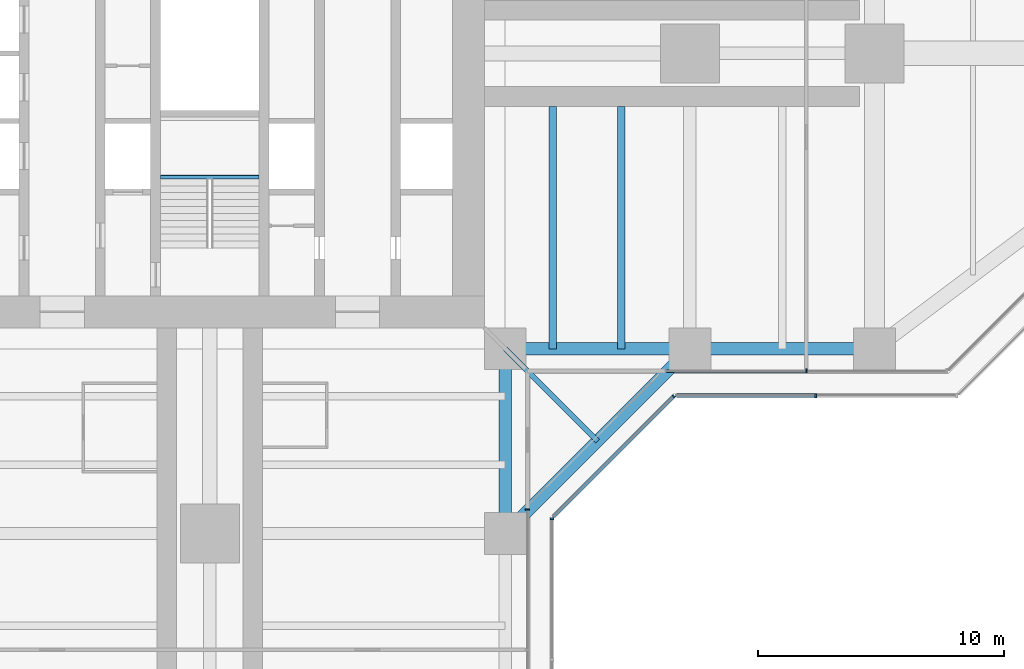
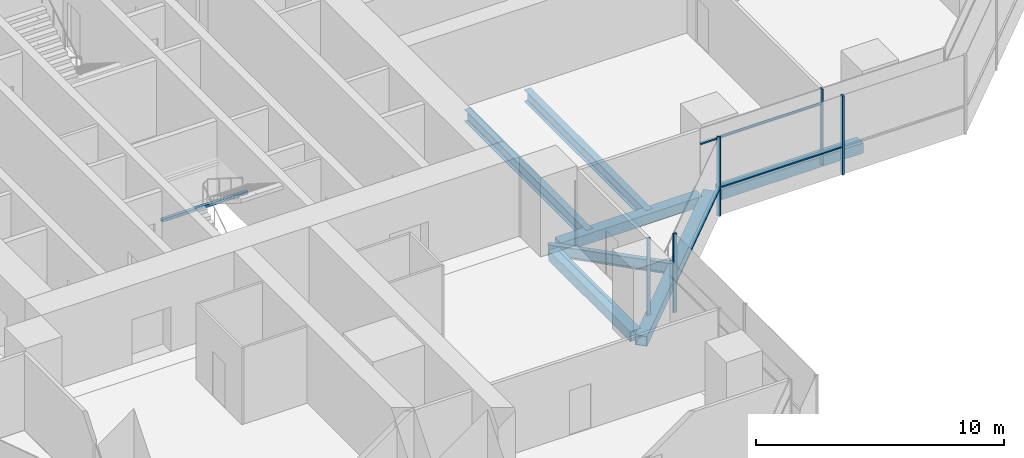
# One storey, part 6 of 22: 8 beams, 8 members, 5 elements without a shape of their own.
"""IFC4 building model written with IfcOpenShell, lengths in metres."""

from ifc_helpers import new_model, si_unit, direction, frame, origin, origin_2d, place, context, subcontext, project, spatial, rectangle, hollow_rectangle, i_section, extrude, material, material_profile, profile_set, type_object, element, aggregate, save


model = new_model("IFC4")

# Units and contexts
model_context = context("Model", 3, precision=1e-05, world=origin(), true_north=direction((0.0, 1.0)))
body_context = subcontext(model_context, "Body", "Model", "MODEL_VIEW")
ifc_project = project(units=[si_unit("LENGTHUNIT", "METRE"), si_unit("AREAUNIT", "SQUARE_METRE"), si_unit("VOLUMEUNIT", "CUBIC_METRE"), si_unit("PLANEANGLEUNIT", "RADIAN"), si_unit("MASSUNIT", "GRAM", prefix="KILO")], contexts=[model_context])

# Site, building, storey
site_placement = place(None, origin())
site = spatial("IfcSite", under=ifc_project, at=site_placement, CompositionType="ELEMENT")
building_placement = place(site_placement, origin())
building = spatial("IfcBuilding", under=site, at=building_placement, Name="Mizan Broadcast Tower", CompositionType="ELEMENT")
storey_placement = place(building_placement, frame((0.0, 0.0, 90.300048828125)))
storey = spatial("IfcBuildingStorey", under=building, at=storey_placement, Name="L19", CompositionType="ELEMENT", Elevation=90.300048828125)

# Beams
ifc_material_1 = material(Name="Steel S355", Category="steel")
ifc_material_profile_1 = material_profile(ifc_material_1, hollow_rectangle(XDim=0.5, YDim=0.5, WallThickness=0.030029296875, at=origin_2d()), Name="BOX 500x500x30")
ifc_profile_set_1 = profile_set([ifc_material_profile_1], Name="Steel S355")
beam_type_1 = type_object("IfcBeamType", Name="EDGE BEAM BOX 500x500x30", PredefinedType="SPANDREL", material=ifc_profile_set_1)
for number, where, z_axis, x_axis, name in (
    (1, (12.449951171875, -12.0, -0.380126953125), (1.0, 0.0, 0.0), (0.0, 1.0, 0.0), "Edge beam BOX 500x500x30 L19 east arm"),
    (2, (19.949951171875, -12.0, -0.380126953125), (1.0, 0.0, 0.0), (0.0, 1.0, 0.0), "Edge beam BOX 500x500x30 L19 east arm"),
    (3, (12.0, -12.449951171875, -0.380126953125), (0.0, -1.0, 0.0), (1.0, 0.0, 0.0), "Edge beam BOX 500x500x30 L19 south arm"),
):
    element("IfcBeam", number, at=place(storey_placement, frame(where, z_axis=z_axis, x_axis=x_axis)), inside=storey, type_object=beam_type_1, Name=name, PredefinedType="SPANDREL", context=body_context, shape_type="SweptSolid", body=[
        extrude(hollow_rectangle(XDim=0.5, YDim=0.5, WallThickness=0.030029296875, at=origin_2d()), origin(), (0.0, 0.0, 1.0), 6.60009765625),
    ])
beam_1_placement = place(storey_placement, frame((12.0, -19.5, -0.380126953125), z_axis=(0.707106781187, 0.707106781187, 0.0), x_axis=(-0.707106781187, 0.707106781187, 0.0)))
element("IfcBeam", 4, at=beam_1_placement, inside=storey, type_object=beam_type_1, Name="Winter garden edge beam L19 S", PredefinedType="SPANDREL", context=body_context, shape_type="SweptSolid", body=[
    extrude(hollow_rectangle(XDim=0.5, YDim=0.5, WallThickness=0.030029296875, at=origin_2d()), origin(), (0.0, 0.0, 1.0), 10.606689453125),
])

# Curtain wall, member
ifc_material_2 = material(Name="Aluminium framed glazing", Category="aluminium")
curtain_wall_type_1 = type_object("IfcCurtainWallType", Name="INNER SKIN LOW ZONE", PredefinedType="USERDEFINED", material=ifc_material_2)
curtain_wall_1_placement = place(storey_placement, origin())
curtain_wall_1 = element("IfcCurtainWall", 5, at=curtain_wall_1_placement, inside=storey, type_object=curtain_wall_type_1, Name="Inner skin low zone L19 E side", ObjectType="INNER SKIN LOW ZONE", PredefinedType="USERDEFINED")
ifc_material_3 = material(Name="Aluminium, pale anodised", Category="aluminium")
ifc_material_profile_2 = material_profile(ifc_material_3, rectangle(XDim=0.159912109375, YDim=0.06005859375, at=origin_2d()), Name="MULLION 160x60")
ifc_profile_set_2 = profile_set([ifc_material_profile_2], Name="Aluminium, pale anodised")
member_type_1 = type_object("IfcMemberType", Name="INNER SKIN MULLION 60x160", PredefinedType="MULLION", material=ifc_profile_set_2)
member_1_placement = place(storey_placement, frame((24.229248046875, -12.89990234375, 0.0), z_axis=(0.0, 0.0, 1.0), x_axis=(0.0, 1.0, 0.0)))
member_1 = element("IfcMember", 6, at=member_1_placement, type_object=member_type_1, Name="Inner skin low zone L19 E side mullion 2", PredefinedType="MULLION", context=body_context, shape_type="SweptSolid", body=[
    extrude(rectangle(XDim=0.159912109375, YDim=0.06005859375, at=origin_2d()), origin(), (0.0, 0.0, 1.0), 3.77001953125),
])

curtain_wall_2_placement = place(storey_placement, origin())
curtain_wall_2 = element("IfcCurtainWall", 7, at=curtain_wall_2_placement, inside=storey, type_object=curtain_wall_type_1, Name="Inner skin low zone L19 S side", ObjectType="INNER SKIN LOW ZONE", PredefinedType="USERDEFINED")
member_2_placement = place(storey_placement, frame((12.89990234375, -18.530029296875, 0.0), z_axis=(0.0, 0.0, 1.0), x_axis=(-1.0, 0.0, 0.0)))
member_2 = element("IfcMember", 8, at=member_2_placement, type_object=member_type_1, Name="Inner skin low zone L19 S side mullion 3", PredefinedType="MULLION", context=body_context, shape_type="SweptSolid", body=[
    extrude(rectangle(XDim=0.159912109375, YDim=0.06005859375, at=origin_2d()), origin(), (0.0, 0.0, 1.0), 3.77001953125),
])
aggregate(curtain_wall_2, [member_2])

# Member
ifc_material_4 = material(Name="Aluminium, pale anodised", Category="aluminium")
ifc_material_profile_3 = material_profile(ifc_material_4, rectangle(XDim=0.1201171875, YDim=0.06005859375, at=origin_2d()), Name="TRANSOM 120x60")
ifc_profile_set_3 = profile_set([ifc_material_profile_3], Name="Aluminium, pale anodised")
member_type_2 = type_object("IfcMemberType", Name="INNER SKIN TRANSOM 60x120", PredefinedType="USERDEFINED", material=ifc_profile_set_3)
member_3_placement = place(storey_placement, frame((18.56005859375, -12.89990234375, 3.030029296875), z_axis=(1.0, 0.0, 0.0), x_axis=(0.0, 1.0, 0.0)))
member_3 = element("IfcMember", 9, at=member_3_placement, type_object=member_type_2, Name="Inner skin low zone L19 E side transom 1.1", ObjectType="TRANSOM", PredefinedType="USERDEFINED", context=body_context, shape_type="SweptSolid", body=[
    extrude(rectangle(XDim=0.1201171875, YDim=0.06005859375, at=origin_2d()), origin(), (0.0, 0.0, 1.0), 5.63916015625),
])

aggregate(curtain_wall_1, [member_1, member_3])

# Beam
ifc_material_5 = material(Name="Steel S355", Category="steel")
ifc_material_profile_4 = material_profile(ifc_material_5, hollow_rectangle(XDim=0.14990234375, YDim=0.14990234375, WallThickness=0.008056640625, InnerFilletRadius=0.008056640625, OuterFilletRadius=0.011962890625, at=origin_2d()), Name="SHS 150x150x8")
ifc_profile_set_4 = profile_set([ifc_material_profile_4], Name="Steel S355")
beam_type_2 = type_object("IfcBeamType", Name="LANDING TRIMMER SHS 150x150x8", PredefinedType="BEAM", material=ifc_profile_set_4)
beam_2_placement = place(storey_placement, frame((-2.0, -5.02490234375, 1.675048828125), z_axis=(1.0, 0.0, 0.0), x_axis=(0.0, 1.0, 0.0)))
element("IfcBeam", 10, at=beam_2_placement, inside=storey, type_object=beam_type_2, Name="Stair A landing trimmer L19", PredefinedType="BEAM", context=body_context, shape_type="SweptSolid", body=[
    extrude(hollow_rectangle(XDim=0.14990234375, YDim=0.14990234375, WallThickness=0.008056640625, InnerFilletRadius=0.008056640625, OuterFilletRadius=0.011962890625, at=origin_2d()), origin(), (0.0, 0.0, 1.0), 4.0),
])

# Curtain wall, member
ifc_material_6 = material(Name="Aluminium framed glazing", Category="aluminium")
curtain_wall_type_2 = type_object("IfcCurtainWallType", Name="OUTER SKIN", PredefinedType="USERDEFINED", material=ifc_material_6)
curtain_wall_3_placement = place(storey_placement, origin())
curtain_wall_3 = element("IfcCurtainWall", 11, at=curtain_wall_3_placement, inside=storey, type_object=curtain_wall_type_2, Name="Outer skin L19 S side", ObjectType="OUTER SKIN", PredefinedType="USERDEFINED")
ifc_material_7 = material(Name="Aluminium, pale anodised", Category="aluminium")
ifc_material_profile_5 = material_profile(ifc_material_7, rectangle(XDim=0.159912109375, YDim=0.080078125, at=origin_2d()), Name="MULLION 160x80")
ifc_profile_set_5 = profile_set([ifc_material_profile_5], Name="Aluminium, pale anodised")
member_type_3 = type_object("IfcMemberType", Name="OUTER SKIN MULLION 80x160", PredefinedType="MULLION", material=ifc_profile_set_5)
member_4_placement = place(storey_placement, frame((13.89990234375, -18.912841796875, 0.0), z_axis=(0.0, 0.0, 1.0), x_axis=(-1.0, 0.0, 0.0)))
member_4 = element("IfcMember", 12, at=member_4_placement, type_object=member_type_3, Name="Outer skin L19 S side mullion 3", PredefinedType="MULLION", context=body_context, shape_type="SweptSolid", body=[
    extrude(rectangle(XDim=0.159912109375, YDim=0.080078125, at=origin_2d()), origin(), (0.0, 0.0, 1.0), 3.89990234375),
])
aggregate(curtain_wall_3, [member_4])

curtain_wall_4_placement = place(storey_placement, origin())
curtain_wall_4 = element("IfcCurtainWall", 13, at=curtain_wall_4_placement, inside=storey, type_object=curtain_wall_type_2, Name="Outer skin L19 E chamfer", ObjectType="OUTER SKIN", PredefinedType="USERDEFINED")
member_5_placement = place(storey_placement, frame((18.844482421875, -13.92822265625, 0.0), z_axis=(0.0, 0.0, 1.0), x_axis=(-0.707106781187, 0.707106781187, 0.0)))
member_5 = element("IfcMember", 14, at=member_5_placement, type_object=member_type_3, Name="Outer skin L19 E chamfer mullion 2", PredefinedType="MULLION", context=body_context, shape_type="SweptSolid", body=[
    extrude(rectangle(XDim=0.159912109375, YDim=0.080078125, at=origin_2d()), origin(), (0.0, 0.0, 1.0), 3.89990234375),
])

curtain_wall_5_placement = place(storey_placement, origin())
curtain_wall_5 = element("IfcCurtainWall", 15, at=curtain_wall_5_placement, inside=storey, type_object=curtain_wall_type_2, Name="Outer skin L19 E side", ObjectType="OUTER SKIN", PredefinedType="USERDEFINED")
member_6_placement = place(storey_placement, frame((24.622802734375, -13.89990234375, 0.0), z_axis=(0.0, 0.0, 1.0), x_axis=(0.0, 1.0, 0.0)))
member_6 = element("IfcMember", 16, at=member_6_placement, type_object=member_type_3, Name="Outer skin L19 E side mullion 2", PredefinedType="MULLION", context=body_context, shape_type="SweptSolid", body=[
    extrude(rectangle(XDim=0.159912109375, YDim=0.080078125, at=origin_2d()), origin(), (0.0, 0.0, 1.0), 3.89990234375),
])

# Member
ifc_material_8 = material(Name="Aluminium, pale anodised", Category="aluminium")
ifc_material_profile_6 = material_profile(ifc_material_8, rectangle(XDim=0.159912109375, YDim=0.06005859375, at=origin_2d()), Name="TRANSOM 160x60")
ifc_profile_set_6 = profile_set([ifc_material_profile_6], Name="Aluminium, pale anodised")
member_type_4 = type_object("IfcMemberType", Name="OUTER SKIN TRANSOM 60x160", PredefinedType="USERDEFINED", material=ifc_profile_set_6)
member_7_placement = place(storey_placement, frame((13.95654296875, -18.816162109375, 1.39990234375), z_axis=(0.707106781187, 0.707106781187, 0.0), x_axis=(-0.707106781187, 0.707106781187, 0.0)))
member_7 = element("IfcMember", 17, at=member_7_placement, type_object=member_type_4, Name="Outer skin L19 E chamfer transom 1.1", ObjectType="TRANSOM", PredefinedType="USERDEFINED", context=body_context, shape_type="SweptSolid", body=[
    extrude(rectangle(XDim=0.159912109375, YDim=0.06005859375, at=origin_2d()), origin(), (0.0, 0.0, 1.0), 6.87255859375),
])

aggregate(curtain_wall_4, [member_5, member_7])

member_8_placement = place(storey_placement, frame((18.952880859375, -13.89990234375, 1.39990234375), z_axis=(1.0, 0.0, 0.0), x_axis=(0.0, 1.0, 0.0)))
member_8 = element("IfcMember", 18, at=member_8_placement, type_object=member_type_4, Name="Outer skin L19 E side transom 1.1", ObjectType="TRANSOM", PredefinedType="USERDEFINED", context=body_context, shape_type="SweptSolid", body=[
    extrude(rectangle(XDim=0.159912109375, YDim=0.06005859375, at=origin_2d()), origin(), (0.0, 0.0, 1.0), 5.6298828125),
])

aggregate(curtain_wall_5, [member_6, member_8])

# Beams
ifc_material_9 = material(Name="Steel S355", Category="steel")
ifc_material_profile_7 = material_profile(ifc_material_9, i_section(OverallWidth=0.300048828125, OverallDepth=0.590087890625, WebThickness=0.012939453125, FlangeThickness=0.02490234375, FilletRadius=0.027099609375, at=origin_2d()), Name="HEA 600")
ifc_profile_set_7 = profile_set([ifc_material_profile_7], Name="Steel S355")
beam_type_3 = type_object("IfcBeamType", Name="SECONDARY BEAM HEA 600", PredefinedType="JOIST", material=ifc_profile_set_7)
for number, where, z_axis, x_axis, name in (
    (19, (13.933349609375, -12.0, -0.425048828125), (0.0, 1.0, 0.0), (-1.0, 0.0, 0.0), "Secondary beam HEA 600 L19 east arm"),
    (20, (16.716552734375, -12.0, -0.425048828125), (0.0, 1.0, 0.0), (-1.0, 0.0, 0.0), "Secondary beam HEA 600 L19 east arm"),
):
    element("IfcBeam", number, at=place(storey_placement, frame(where, z_axis=z_axis, x_axis=x_axis)), inside=storey, type_object=beam_type_3, Name=name, PredefinedType="JOIST", context=body_context, shape_type="SweptSolid", body=[
        extrude(i_section(OverallWidth=0.300048828125, OverallDepth=0.590087890625, WebThickness=0.012939453125, FlangeThickness=0.02490234375, FilletRadius=0.027099609375, at=origin_2d()), origin(), (0.0, 0.0, 1.0), 9.85009765625),
    ])
ifc_material_10 = material(Name="Steel S355", Category="steel")
ifc_material_profile_8 = material_profile(ifc_material_10, i_section(OverallWidth=0.2099609375, OverallDepth=0.550048828125, WebThickness=0.010986328125, FlangeThickness=0.01708984375, FilletRadius=0.02392578125, at=origin_2d()), Name="IPE 550")
ifc_profile_set_8 = profile_set([ifc_material_profile_8], Name="Steel S355")
beam_type_4 = type_object("IfcBeamType", Name="SECONDARY BEAM IPE 550", PredefinedType="JOIST", material=ifc_profile_set_8)
beam_3_placement = place(storey_placement, frame((12.0, -12.0, -0.405029296875), z_axis=(0.707106781187, -0.707106781187, 0.0), x_axis=(0.707106781187, 0.707106781187, 0.0)))
element("IfcBeam", 21, at=beam_3_placement, inside=storey, type_object=beam_type_4, Name="Winter garden beam L19 S", PredefinedType="JOIST", context=body_context, shape_type="SweptSolid", body=[
    extrude(i_section(OverallWidth=0.2099609375, OverallDepth=0.550048828125, WebThickness=0.010986328125, FlangeThickness=0.01708984375, FilletRadius=0.02392578125, at=origin_2d()), origin(), (0.0, 0.0, 1.0), 5.30322265625),
])

save(model, "model.ifc")
